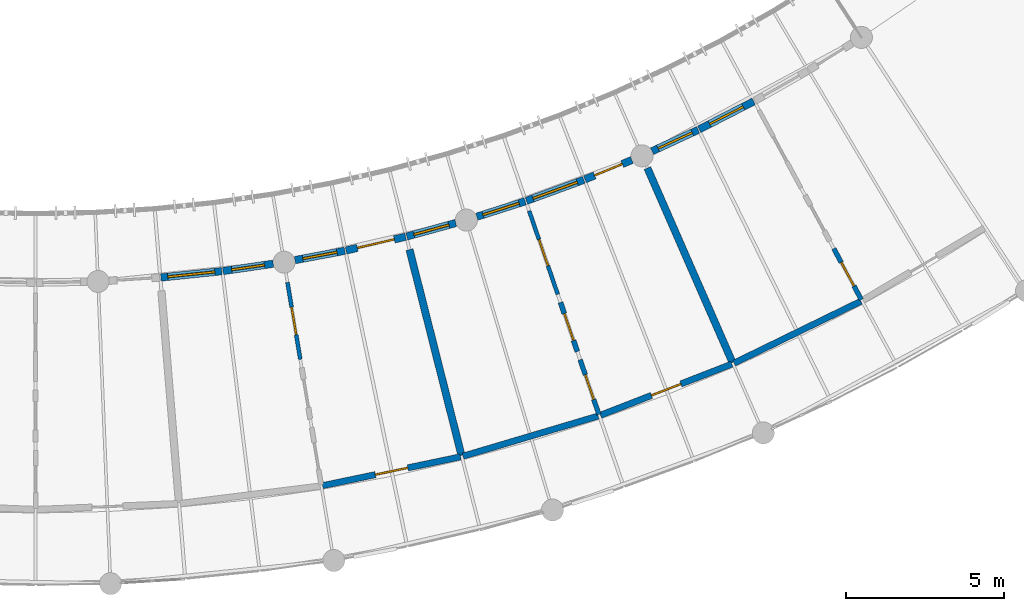
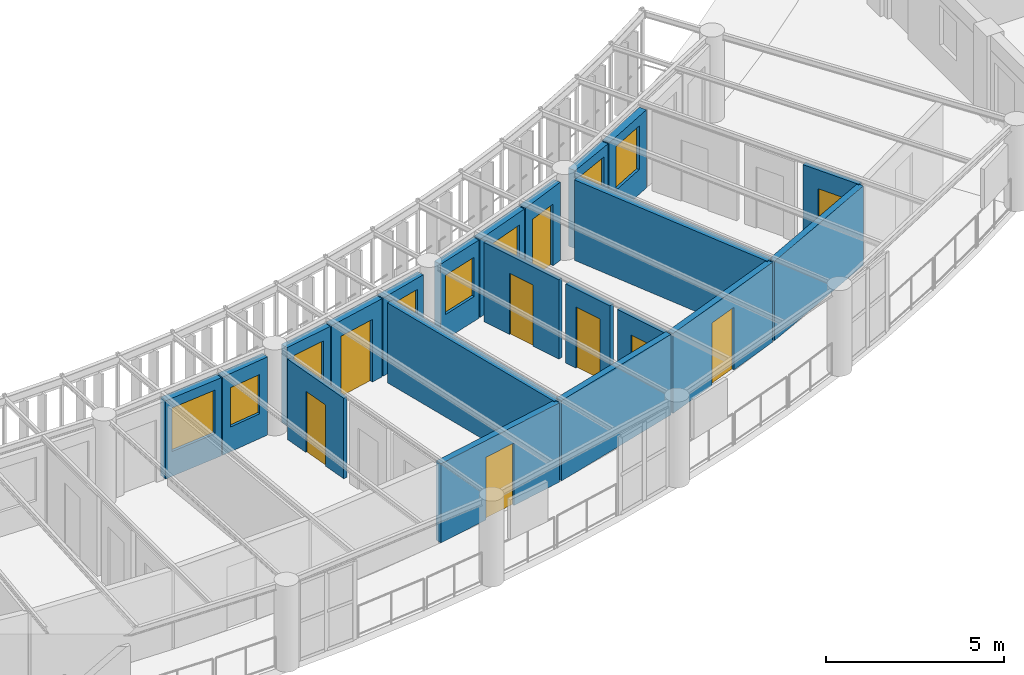
# One storey, part 62 of 100: 21 walls, 9 doors, 8 windows, 17 openings.
"""IFC4 building model written with IfcOpenShell, lengths in metres."""

import ifcopenshell
import ifcopenshell.guid

model = None  # the IFC model being written
_history = None  # IfcOwnerHistory: only IFC2X3 demands one
_inside = {}  # id of a spatial element -> (the spatial element, [elements in it])
_under = {}  # id of a project, library or spatial element -> (it, [spatial elements below it])
_declared = {}  # id of a project -> (the project, [libraries it declares])
_typed = {}  # id of a type object -> (the type object, [elements of that type])
_made_of = {}  # id of a material, layer set ... -> (it, [elements and type objects made of it])


def new_model(schema):
    """Start an empty IFC model of exactly this schema.

    Asked for "IFC4X3", IfcOpenShell would pick the latest addendum, in which some entities
    have other attributes; the version numbers below select the first issue.
    IFC2X3 requires an IfcOwnerHistory on every rooted entity: one is made here for all.
    """
    global model, _history
    if schema == "IFC4X3":
        model = ifcopenshell.file(schema_version=(4, 3, 0, 0))
    else:
        model = ifcopenshell.file(schema=schema)
    _inside.clear()
    _under.clear()
    _declared.clear()
    _typed.clear()
    _made_of.clear()
    _history = None
    if model.schema == "IFC2X3":
        org = make("IfcOrganization", Name="unknown")
        user = make(
            "IfcPersonAndOrganization",
            ThePerson=make("IfcPerson", FamilyName="unknown"),
            TheOrganization=org,
        )
        app = make(
            "IfcApplication",
            ApplicationDeveloper=org,
            Version="unknown",
            ApplicationFullName="unknown",
            ApplicationIdentifier="unknown",
        )
        _history = make(
            "IfcOwnerHistory",
            OwningUser=user,
            OwningApplication=app,
            ChangeAction="ADDED",
            CreationDate=0,
        )
    return model


def make(cls, **values):
    """One entity of the class cls with the attributes given. An attribute that is None is left unset."""
    return model.create_entity(
        cls, **{name: value for name, value in values.items() if value is not None}
    )


def rooted(cls, **values):
    """An entity with a GlobalId (a new one), such as an element, a storey or a relation."""
    return make(cls, GlobalId=ifcopenshell.guid.new(), OwnerHistory=_history, **values)


def si_unit(unit_type, name, prefix=None):
    """IfcSIUnit, for example si_unit("LENGTHUNIT", "METRE", prefix="MILLI")."""
    return make("IfcSIUnit", UnitType=unit_type, Prefix=prefix, Name=name)


def assignment(units):
    """IfcUnitAssignment: the units of a project."""
    return None if units is None else make("IfcUnitAssignment", Units=units)


def point(xyz):
    """IfcCartesianPoint."""
    return None if xyz is None else make("IfcCartesianPoint", Coordinates=xyz)


def direction(xyz):
    """IfcDirection."""
    return None if xyz is None else make("IfcDirection", DirectionRatios=xyz)


def frame(location, z_axis=None, x_axis=None):
    """IfcAxis2Placement3D, a coordinate frame: its origin and axes. An axis left out is left unset."""
    return make(
        "IfcAxis2Placement3D",
        Location=point(location),
        Axis=direction(z_axis),
        RefDirection=direction(x_axis),
    )


def frame_2d(location, x_axis=None):
    """IfcAxis2Placement2D, a coordinate frame in the plane: its origin and x axis."""
    return make(
        "IfcAxis2Placement2D", Location=point(location), RefDirection=direction(x_axis)
    )


def origin():
    """The frame at (0, 0, 0) with its axes left unset."""
    return frame((0.0, 0.0, 0.0))


def place(relative_to, where):
    """IfcLocalPlacement: puts the frame where relative to a parent placement (None: the world)."""
    return make(
        "IfcLocalPlacement", PlacementRelTo=relative_to, RelativePlacement=where
    )


def context(
    kind, dimensions, precision=None, world=None, true_north=None, identifier=None
):
    """IfcGeometricRepresentationContext, for example the 3D "Model" context."""
    return make(
        "IfcGeometricRepresentationContext",
        ContextIdentifier=identifier,
        ContextType=kind,
        CoordinateSpaceDimension=dimensions,
        Precision=precision,
        WorldCoordinateSystem=world,
        TrueNorth=true_north,
    )


def subcontext(parent, identifier, kind, view, scale=None):
    """IfcGeometricRepresentationSubContext, for example "Body" below "Model"."""
    return make(
        "IfcGeometricRepresentationSubContext",
        ContextIdentifier=identifier,
        ContextType=kind,
        ParentContext=parent,
        TargetScale=scale,
        TargetView=view,
    )


def project(units=None, contexts=None):
    """IfcProject with its units and contexts."""
    return rooted(
        "IfcProject",
        Name="project",
        RepresentationContexts=contexts,
        UnitsInContext=assignment(units),
    )


def spatial(cls, under=None, at=None, **own):
    """A site, building, storey or space (cls), placed at a placement, below another one or the project."""
    s = rooted(cls, ObjectPlacement=at, **own)
    if under is not None:
        _under.setdefault(under.id(), (under, []))[1].append(s)
    return s


def profile(cls, at=None, kind="AREA", **sizes):
    """A parametric profile (cls). Its sizes go by their IFC names, for example OverallWidth=200.0."""
    return make(cls, ProfileType=kind, Position=at, **sizes)


def rectangle(**sizes):
    """IfcRectangleProfileDef."""
    return profile("IfcRectangleProfileDef", **sizes)


def extrude(swept, where, along, depth):
    """IfcExtrudedAreaSolid: the profile swept, set in the frame where, extruded along a direction by depth."""
    return make(
        "IfcExtrudedAreaSolid",
        SweptArea=swept,
        Position=where,
        ExtrudedDirection=direction(along),
        Depth=depth,
    )


def shape(context_of_items, identifier, shape_type, items):
    """IfcShapeRepresentation: the items that make up one representation, for example the "Body"."""
    return make(
        "IfcShapeRepresentation",
        ContextOfItems=context_of_items,
        RepresentationIdentifier=identifier,
        RepresentationType=shape_type,
        Items=items,
    )


def material(Name=None, Category=None):
    """IfcMaterial."""
    return make("IfcMaterial", Name=Name, Category=Category)


def layer(
    of_material, thickness, ventilated=None, Name=None, Category=None, Priority=None
):
    """IfcMaterialLayer: one layer of a wall or slab, of a material (None: an air gap)."""
    return make(
        "IfcMaterialLayer",
        Material=of_material,
        LayerThickness=thickness,
        IsVentilated=ventilated,
        Name=Name,
        Category=Category,
        Priority=Priority,
    )


def layer_set(layers, Name=None):
    """IfcMaterialLayerSet."""
    return make("IfcMaterialLayerSet", MaterialLayers=layers, LayerSetName=Name)


def made_of(thing, what):
    """Note that an element or type object is made of a material, layer set ...; save() writes the relation."""
    if what is not None:
        _made_of.setdefault(what.id(), (what, []))[1].append(thing)
    return thing


def type_object(cls, material=None, **own):
    """A type object (cls), such as IfcWallType, which elements share."""
    return made_of(rooted(cls, **own), material)


def element(
    cls,
    number,
    at=None,
    inside=None,
    cuts=None,
    type_object=None,
    material=None,
    context=None,
    identifier="Body",
    shape_type=None,
    held_by="IfcProductDefinitionShape",
    body=None,
    shapes=None,
    **own,
):
    """One element of the class cls, such as IfcWall. Its Tag is "e" and its number.

    at: its placement. inside: the storey or other place that contains it. cuts: it is an
    opening in that element (IfcRelVoidsElement). A single representation is given by context,
    identifier, shape_type and body (its items); several are given by shapes. held_by: the class
    of the entity that holds the representations. save() writes the other relations.
    """
    e = rooted(cls, Tag="e%d" % number, ObjectPlacement=at, **own)
    if body is not None:
        shapes = [shape(context, identifier, shape_type, body)]
    if shapes is not None:
        e.Representation = make(held_by, Representations=shapes)
    if inside is not None:
        _inside.setdefault(inside.id(), (inside, []))[1].append(e)
    if cuts is not None:
        rooted(
            "IfcRelVoidsElement", RelatingBuildingElement=cuts, RelatedOpeningElement=e
        )
    if type_object is not None:
        _typed.setdefault(type_object.id(), (type_object, []))[1].append(e)
    return made_of(e, material)


def fill(opening, filler):
    """IfcRelFillsElement: the door or window that sits in an opening."""
    return rooted(
        "IfcRelFillsElement",
        RelatingOpeningElement=opening,
        RelatedBuildingElement=filler,
    )


def aggregate(whole, parts):
    """IfcRelAggregates: a whole, such as a stair, and the parts it consists of."""
    return rooted("IfcRelAggregates", RelatingObject=whole, RelatedObjects=parts)


def save(model, path):
    """Write the relations noted so far, then the file.

    IfcRelAggregates (storeys below a building ...), IfcRelContainedInSpatialStructure (elements
    in a storey), IfcRelDefinesByType, IfcRelAssociatesMaterial and IfcRelDeclares: one each for
    every whole, place, type object, material and project.
    """
    for whole, parts in _under.values():
        aggregate(whole, parts)
    for where, things in _inside.values():
        rooted(
            "IfcRelContainedInSpatialStructure",
            RelatedElements=things,
            RelatingStructure=where,
        )
    for kind, things in _typed.values():
        rooted("IfcRelDefinesByType", RelatedObjects=things, RelatingType=kind)
    for what, things in _made_of.values():
        rooted("IfcRelAssociatesMaterial", RelatedObjects=things, RelatingMaterial=what)
    for by, libraries in _declared.values():
        rooted("IfcRelDeclares", RelatingContext=by, RelatedDefinitions=libraries)
    model.write(path)


model = new_model("IFC4")

# Units and contexts
model_context = context("Model", 3, precision=1e-05, world=origin(), true_north=direction((0.0, 1.0)))
body_context = subcontext(model_context, "Body", "Model", "MODEL_VIEW")
ifc_project = project(units=[si_unit("LENGTHUNIT", "METRE"), si_unit("AREAUNIT", "SQUARE_METRE"), si_unit("VOLUMEUNIT", "CUBIC_METRE"), si_unit("PLANEANGLEUNIT", "RADIAN"), si_unit("MASSUNIT", "GRAM", prefix="KILO"), si_unit("POWERUNIT", "WATT"), si_unit("THERMODYNAMICTEMPERATUREUNIT", "KELVIN")], contexts=[model_context])

# Site, building, storey
site_placement = place(None, origin())
site = spatial("IfcSite", under=ifc_project, at=site_placement, CompositionType="ELEMENT")
building_placement = place(site_placement, origin())
building = spatial("IfcBuilding", under=site, at=building_placement, Name="Ruvembo Vaulted Housing Court", CompositionType="ELEMENT")
storey_placement = place(building_placement, frame((0.0, 0.0, 10.89990234375)))
storey = spatial("IfcBuildingStorey", under=building, at=storey_placement, Name="L03", CompositionType="ELEMENT", Elevation=10.89990234375)

# Wall, opening, door
ifc_material_1 = material(Name="Concrete Blockwork 200", Category="masonry")
ifc_layer_1 = layer(ifc_material_1, 0.199951171875, Name="Concrete Blockwork 200")
ifc_layer_set_1 = layer_set([ifc_layer_1], Name="Concrete Blockwork 200")
wall_type_1 = type_object("IfcWallType", Name="WL-CORR-200", PredefinedType="SOLIDWALL", material=ifc_layer_set_1)
wall_1_placement = place(storey_placement, frame((78.106689453125, 7.55810546875, 0.0), z_axis=(0.0, 0.0, 1.0), x_axis=(0.978806148413, 0.204788973894, 0.0)))
wall_1 = element("IfcWall", 1, at=wall_1_placement, inside=storey, type_object=wall_type_1, Name="L03 Suite SC2-L03-U5 Entrance WL-INT-L03-01029", PredefinedType="SOLIDWALL", context=body_context, shape_type="SweptSolid", body=[
    extrude(rectangle(XDim=4.472900390625, YDim=0.199951171875, at=frame_2d((2.236328125, 0.0))), origin(), (0.0, 0.0, 1.0), 2.72216796875),
])
opening_1_placement = place(wall_1_placement, frame((1.71142578125, 0.0, 0.0)))
opening_1 = element("IfcOpeningElement", 2, at=opening_1_placement, cuts=wall_1, Name="Opening FD3", PredefinedType="OPENING", context=body_context, shape_type="SweptSolid", body=[
    extrude(rectangle(XDim=1.050048828125, YDim=2.14990234375, at=frame_2d((0.52490234375, 1.074951171875))), frame((0.0, 0.10986328125, 0.0), z_axis=(0.0, -1.0, 0.0), x_axis=(1.0, 0.0, 0.0)), (0.0, 0.0, 1.0), 0.219970703125),
])
ifc_material_2 = material(Name="FSC Hardwood and Engineered Timber", Category="wood")
door_type_1 = type_object("IfcDoorType", Name="DR-FLAT-1050x2150", OperationType="NOTDEFINED", PredefinedType="DOOR", material=ifc_material_2)
door_1_placement = place(opening_1_placement, origin())
door_1 = element("IfcDoor", 3, at=door_1_placement, inside=storey, type_object=door_type_1, Name="L03 Suite SC2-L03-U5 Entrance Door DR-INT-L03-00572", OperationType="SINGLE_SWING_RIGHT", OverallHeight=2.14990234375, OverallWidth=1.050048828125, PredefinedType="DOOR", context=body_context, shape_type="SweptSolid", body=[
    extrude(rectangle(XDim=1.050048828125, YDim=2.14990234375, at=frame_2d((0.52490234375, 1.074951171875))), frame((0.0, 0.02490234375, 0.0), z_axis=(0.0, -1.0, 0.0), x_axis=(1.0, 0.0, 0.0)), (0.0, 0.0, 1.0), 0.050048828125),
])
fill(opening_1, door_1)

# Wall
wall_2_placement = place(storey_placement, frame((82.562255859375, 8.493896484375, 0.0), z_axis=(0.0, 0.0, 1.0), x_axis=(0.958602413557, 0.28474798107, 0.0)))
element("IfcWall", 4, at=wall_2_placement, inside=storey, type_object=wall_type_1, Name="L03 Suite SC2-L03-U6 Gallery Wall WL-INT-L03-01034", PredefinedType="SOLIDWALL", context=body_context, shape_type="SweptSolid", body=[
    extrude(rectangle(XDim=4.472900390625, YDim=0.199951171875, at=frame_2d((2.236328125, 0.0))), origin(), (0.0, 0.0, 1.0), 2.76220703125),
])

# Wall, opening, door
wall_3_placement = place(storey_placement, frame((86.92578125, 9.79345703125, 0.0), z_axis=(0.0, 0.0, 1.0), x_axis=(0.931847867525, 0.362849213571, 0.0)))
wall_3 = element("IfcWall", 5, at=wall_3_placement, inside=storey, type_object=wall_type_1, Name="L03 Suite SC2-L03-U6 Entrance WL-INT-L03-01035", PredefinedType="SOLIDWALL", context=body_context, shape_type="SweptSolid", body=[
    extrude(rectangle(XDim=4.47314453125, YDim=0.199951171875, at=frame_2d((2.236572265625, 0.0))), origin(), (0.0, 0.0, 1.0), 2.7421875),
])
opening_2_placement = place(wall_3_placement, frame((1.736572265625, 0.0, 0.0)))
opening_2 = element("IfcOpeningElement", 6, at=opening_2_placement, cuts=wall_3, Name="Opening FD1", PredefinedType="OPENING", context=body_context, shape_type="SweptSolid", body=[
    extrude(rectangle(XDim=1.0, YDim=2.14990234375, at=frame_2d((0.5, 1.074951171875))), frame((0.0, 0.10986328125, 0.0), z_axis=(0.0, -1.0, 0.0), x_axis=(1.0, 0.0, 0.0)), (0.0, 0.0, 1.0), 0.219970703125),
])
door_type_2 = type_object("IfcDoorType", Name="DR-FLAT-1000x2150", OperationType="NOTDEFINED", PredefinedType="DOOR", material=ifc_material_2)
door_2_placement = place(opening_2_placement, origin())
door_2 = element("IfcDoor", 7, at=door_2_placement, inside=storey, type_object=door_type_2, Name="L03 Suite SC2-L03-U6 Entrance Door DR-INT-L03-00576", OperationType="SINGLE_SWING_RIGHT", OverallHeight=2.14990234375, OverallWidth=1.0, PredefinedType="DOOR", context=body_context, shape_type="SweptSolid", body=[
    extrude(rectangle(XDim=1.0, YDim=2.14990234375, at=frame_2d((0.5, 1.074951171875))), frame((0.0, 0.02490234375, 0.0), z_axis=(0.0, -1.0, 0.0), x_axis=(1.0, 0.0, 0.0)), (0.0, 0.0, 1.0), 0.050048828125),
])
fill(opening_2, door_2)

# Walls
wall_4_placement = place(storey_placement, frame((91.16748046875, 11.448486328125, 0.0), z_axis=(0.0, 0.0, 1.0), x_axis=(0.898794149603, 0.438370934985, 0.0)))
element("IfcWall", 8, at=wall_4_placement, inside=storey, type_object=wall_type_1, Name="L03 Suite SC2-L03-U7 Gallery Wall WL-INT-L03-01040", PredefinedType="SOLIDWALL", context=body_context, shape_type="SweptSolid", body=[
    extrude(rectangle(XDim=4.47265625, YDim=0.199951171875, at=frame_2d((2.236328125, 0.0))), origin(), (0.0, 0.0, 1.0), 2.72216796875),
])
ifc_material_3 = material(Name="Acoustic Masonry Demising 230", Category="masonry")
ifc_layer_2 = layer(ifc_material_3, 0.22998046875, Name="Acoustic Masonry Demising 230")
ifc_layer_set_2 = layer_set([ifc_layer_2], Name="Acoustic Masonry Demising 230")
wall_type_2 = type_object("IfcWallType", Name="WL-DEM-230", PredefinedType="SOLIDWALL", material=ifc_layer_set_2)
wall_5_placement = place(storey_placement, frame((80.864013671875, 15.0517578125, 0.0), z_axis=(0.0, 0.0, 1.0), x_axis=(0.244982481903, -0.969527505314, 0.0)))
element("IfcWall", 9, at=wall_5_placement, inside=storey, type_object=wall_type_2, Name="L03 Suite SC2-L03-U5 Demising WL-INT-L03-01033", PredefinedType="SOLIDWALL", context=body_context, shape_type="SweptSolid", body=[
    extrude(rectangle(XDim=6.73583984375, YDim=0.22998046875, at=frame_2d((3.367919921875, 0.0))), origin(), (0.0, 0.0, 1.0), 2.7421875),
])
wall_6_placement = place(storey_placement, frame((88.414794921875, 17.638427734375, 0.0), z_axis=(0.0, 0.0, 1.0), x_axis=(0.400932910895, -0.916107417807, 0.0)))
element("IfcWall", 10, at=wall_6_placement, inside=storey, type_object=wall_type_2, Name="L03 Suite SC2-L03-U6 Demising WL-INT-L03-01039", PredefinedType="SOLIDWALL", context=body_context, shape_type="SweptSolid", body=[
    extrude(rectangle(XDim=6.736083984375, YDim=0.22998046875, at=frame_2d((3.3681640625, 0.0))), origin(), (0.0, 0.0, 1.0), 2.76220703125),
])

# Wall, opening, window
ifc_material_4 = material(Name="Rendered Masonry 235", Category="masonry")
ifc_layer_3 = layer(ifc_material_4, 0.235107421875, Name="Rendered Masonry 235")
ifc_layer_set_3 = layer_set([ifc_layer_3], Name="Rendered Masonry 235")
wall_type_3 = type_object("IfcWallType", Name="WL-EXT-235", PredefinedType="STANDARD", material=ifc_layer_set_3)
wall_7_placement = place(storey_placement, frame((72.9755859375, 14.165283203125, 0.0), z_axis=(0.0, 0.0, 1.0), x_axis=(0.994688684624, 0.10292920228, 0.0)))
wall_7 = element("IfcWall", 11, at=wall_7_placement, inside=storey, type_object=wall_type_3, Name="Scoop SC2 L03 Concave Balcony Wall 16", PredefinedType="STANDARD", context=body_context, shape_type="SweptSolid", body=[
    extrude(rectangle(XDim=1.940185546875, YDim=0.235107421875, at=frame_2d((0.97021484375, 0.0))), origin(), (0.0, 0.0, 1.0), 2.68408203125),
])
opening_3_placement = place(wall_7_placement, frame((0.219970703125, 0.0, 0.85009765625)))
opening_3 = element("IfcOpeningElement", 12, at=opening_3_placement, cuts=wall_7, Name="Opening W19", PredefinedType="OPENING", context=body_context, shape_type="SweptSolid", body=[
    extrude(rectangle(XDim=1.5, YDim=1.5, at=frame_2d((0.75, 0.75))), frame((0.0, 0.12744140625, 0.0), z_axis=(0.0, -1.0, 0.0), x_axis=(1.0, 0.0, 0.0)), (0.0, 0.0, 1.0), 0.255126953125),
])
ifc_material_5 = material(Name="Double Solar-Control Glazing in Aluminium Frame", Category="aluminium")
window_type_1 = type_object("IfcWindowType", Name="WIN-1500x1500", PartitioningType="SINGLE_PANEL", PredefinedType="WINDOW", material=ifc_material_5)
window_1_placement = place(opening_3_placement, origin())
window_1 = element("IfcWindow", 13, at=window_1_placement, inside=storey, type_object=window_type_1, Name="Scoop SC2 L03 Concave Window 16", OverallHeight=1.5, OverallWidth=1.5, PartitioningType="SINGLE_PANEL", PredefinedType="WINDOW", context=body_context, shape_type="SweptSolid", body=[
    extrude(rectangle(XDim=1.5, YDim=1.5, at=frame_2d((0.75, 0.75))), frame((0.0, 0.030029296875, 0.0), z_axis=(0.0, -1.0, 0.0), x_axis=(1.0, 0.0, 0.0)), (0.0, 0.0, 1.0), 0.06005859375),
])
fill(opening_3, window_1)

wall_8_placement = place(storey_placement, frame((74.945068359375, 14.3701171875, 0.0), z_axis=(0.0, 0.0, 1.0), x_axis=(0.98961312767, 0.143756243492, 0.0)))
wall_8 = element("IfcWall", 14, at=wall_8_placement, inside=storey, type_object=wall_type_3, Name="Scoop SC2 L03 Concave Balcony Wall 17", PredefinedType="STANDARD", context=body_context, shape_type="SweptSolid", body=[
    extrude(rectangle(XDim=1.60986328125, YDim=0.235107421875, at=frame_2d((0.804931640625, 0.0))), origin(), (0.0, 0.0, 1.0), 2.68408203125),
])
opening_4_placement = place(wall_8_placement, frame((0.280029296875, 0.0, 0.85009765625)))
opening_4 = element("IfcOpeningElement", 15, at=opening_4_placement, cuts=wall_8, Name="Opening W09", PredefinedType="OPENING", context=body_context, shape_type="SweptSolid", body=[
    extrude(rectangle(XDim=1.050048828125, YDim=1.35009765625, at=frame_2d((0.52490234375, 0.675048828125))), frame((0.0, 0.12744140625, 0.0), z_axis=(0.0, -1.0, 0.0), x_axis=(1.0, 0.0, 0.0)), (0.0, 0.0, 1.0), 0.255126953125),
])
window_type_2 = type_object("IfcWindowType", Name="WIN-1050x1350", PartitioningType="SINGLE_PANEL", PredefinedType="WINDOW", material=ifc_material_5)
window_2_placement = place(opening_4_placement, origin())
window_2 = element("IfcWindow", 16, at=window_2_placement, inside=storey, type_object=window_type_2, Name="Scoop SC2 L03 Concave Window 17", OverallHeight=1.35009765625, OverallWidth=1.050048828125, PartitioningType="SINGLE_PANEL", PredefinedType="WINDOW", context=body_context, shape_type="SweptSolid", body=[
    extrude(rectangle(XDim=1.050048828125, YDim=1.35009765625, at=frame_2d((0.52490234375, 0.675048828125))), frame((0.0, 0.030029296875, 0.0), z_axis=(0.0, -1.0, 0.0), x_axis=(1.0, 0.0, 0.0)), (0.0, 0.0, 1.0), 0.06005859375),
])
fill(opening_4, window_2)

wall_9_placement = place(storey_placement, frame((77.228759765625, 14.716552734375, 0.0), z_axis=(0.0, 0.0, 1.0), x_axis=(0.982794848755, 0.184700528589, 0.0)))
wall_9 = element("IfcWall", 17, at=wall_9_placement, inside=storey, type_object=wall_type_3, Name="Scoop SC2 L03 Concave Balcony Wall 18", PredefinedType="STANDARD", context=body_context, shape_type="SweptSolid", body=[
    extrude(rectangle(XDim=1.60986328125, YDim=0.235107421875, at=frame_2d((0.804931640625, 0.0))), origin(), (0.0, 0.0, 1.0), 2.68408203125),
])
opening_5_placement = place(wall_9_placement, frame((0.2548828125, 0.0, 0.85009765625)))
opening_5 = element("IfcOpeningElement", 18, at=opening_5_placement, cuts=wall_9, Name="Opening W10", PredefinedType="OPENING", context=body_context, shape_type="SweptSolid", body=[
    extrude(rectangle(XDim=1.10009765625, YDim=1.449951171875, at=frame_2d((0.550048828125, 0.72509765625))), frame((0.0, 0.12744140625, 0.0), z_axis=(0.0, -1.0, 0.0), x_axis=(1.0, 0.0, 0.0)), (0.0, 0.0, 1.0), 0.255126953125),
])
window_type_3 = type_object("IfcWindowType", Name="WIN-1100x1450", PartitioningType="SINGLE_PANEL", PredefinedType="WINDOW", material=ifc_material_5)
window_3_placement = place(opening_5_placement, origin())
window_3 = element("IfcWindow", 19, at=window_3_placement, inside=storey, type_object=window_type_3, Name="Scoop SC2 L03 Concave Window 18", OverallHeight=1.449951171875, OverallWidth=1.10009765625, PartitioningType="SINGLE_PANEL", PredefinedType="WINDOW", context=body_context, shape_type="SweptSolid", body=[
    extrude(rectangle(XDim=1.10009765625, YDim=1.449951171875, at=frame_2d((0.550048828125, 0.72509765625))), frame((0.0, 0.030029296875, 0.0), z_axis=(0.0, -1.0, 0.0), x_axis=(1.0, 0.0, 0.0)), (0.0, 0.0, 1.0), 0.06005859375),
])
fill(opening_5, window_3)

# Wall, opening, door
wall_10_placement = place(storey_placement, frame((78.85009765625, 15.02197265625, 0.0), z_axis=(0.0, 0.0, 1.0), x_axis=(0.974359373104, 0.224997360081, 0.0)))
wall_10 = element("IfcWall", 20, at=wall_10_placement, inside=storey, type_object=wall_type_3, Name="Scoop SC2 L03 Concave Balcony Wall 19", PredefinedType="STANDARD", context=body_context, shape_type="SweptSolid", body=[
    extrude(rectangle(XDim=1.940185546875, YDim=0.235107421875, at=frame_2d((0.97021484375, 0.0))), origin(), (0.0, 0.0, 1.0), 2.68408203125),
])
opening_6_placement = place(wall_10_placement, frame((0.3701171875, 0.0, 0.0)))
opening_6 = element("IfcOpeningElement", 21, at=opening_6_placement, cuts=wall_10, Name="Opening BD2", PredefinedType="OPENING", context=body_context, shape_type="SweptSolid", body=[
    extrude(rectangle(XDim=1.199951171875, YDim=2.14990234375, at=frame_2d((0.60009765625, 1.074951171875))), frame((0.0, 0.12744140625, 0.0), z_axis=(0.0, -1.0, 0.0), x_axis=(1.0, 0.0, 0.0)), (0.0, 0.0, 1.0), 0.255126953125),
])
ifc_material_6 = material(Name="Thermally Broken Glazed Aluminium", Category="aluminium")
door_type_3 = type_object("IfcDoorType", Name="DR-BAL-1200x2150", OperationType="NOTDEFINED", PredefinedType="DOOR", material=ifc_material_6)
door_3_placement = place(opening_6_placement, origin())
door_3 = element("IfcDoor", 22, at=door_3_placement, inside=storey, type_object=door_type_3, Name="Scoop SC2 L03 Balcony Door 19", OperationType="SINGLE_SWING_RIGHT", OverallHeight=2.14990234375, OverallWidth=1.199951171875, PredefinedType="DOOR", context=body_context, shape_type="SweptSolid", body=[
    extrude(rectangle(XDim=1.199951171875, YDim=2.14990234375, at=frame_2d((0.60009765625, 1.074951171875))), frame((0.0, 0.02490234375, 0.0), z_axis=(0.0, -1.0, 0.0), x_axis=(1.0, 0.0, 0.0)), (0.0, 0.0, 1.0), 0.050048828125),
])
fill(opening_6, door_3)

# Wall, opening, window
wall_11_placement = place(storey_placement, frame((80.779296875, 15.46826171875, 0.0), z_axis=(0.0, 0.0, 1.0), x_axis=(0.96427223836, 0.264913288318, 0.0)))
wall_11 = element("IfcWall", 23, at=wall_11_placement, inside=storey, type_object=wall_type_3, Name="Scoop SC2 L03 Concave Balcony Wall 20", PredefinedType="STANDARD", context=body_context, shape_type="SweptSolid", body=[
    extrude(rectangle(XDim=1.610107421875, YDim=0.235107421875, at=frame_2d((0.80517578125, 0.0))), origin(), (0.0, 0.0, 1.0), 2.68408203125),
])
opening_7_placement = place(wall_11_placement, frame((0.22998046875, 0.0, 0.85009765625)))
opening_7 = element("IfcOpeningElement", 24, at=opening_7_placement, cuts=wall_11, Name="Opening W11", PredefinedType="OPENING", context=body_context, shape_type="SweptSolid", body=[
    extrude(rectangle(XDim=1.14990234375, YDim=1.449951171875, at=frame_2d((0.574951171875, 0.72509765625))), frame((0.0, 0.12744140625, 0.0), z_axis=(0.0, -1.0, 0.0), x_axis=(1.0, 0.0, 0.0)), (0.0, 0.0, 1.0), 0.255126953125),
])
window_type_4 = type_object("IfcWindowType", Name="WIN-1150x1450", PartitioningType="SINGLE_PANEL", PredefinedType="WINDOW", material=ifc_material_5)
window_4_placement = place(opening_7_placement, origin())
window_4 = element("IfcWindow", 25, at=window_4_placement, inside=storey, type_object=window_type_4, Name="Scoop SC2 L03 Concave Window 20", OverallHeight=1.449951171875, OverallWidth=1.14990234375, PartitioningType="SINGLE_PANEL", PredefinedType="WINDOW", context=body_context, shape_type="SweptSolid", body=[
    extrude(rectangle(XDim=1.14990234375, YDim=1.449951171875, at=frame_2d((0.574951171875, 0.72509765625))), frame((0.0, 0.030029296875, 0.0), z_axis=(0.0, -1.0, 0.0), x_axis=(1.0, 0.0, 0.0)), (0.0, 0.0, 1.0), 0.06005859375),
])
fill(opening_7, window_4)

wall_12_placement = place(storey_placement, frame((83.002685546875, 16.093994140625, 0.0), z_axis=(0.0, 0.0, 1.0), x_axis=(0.952508629145, 0.304511594861, 0.0)))
wall_12 = element("IfcWall", 26, at=wall_12_placement, inside=storey, type_object=wall_type_3, Name="Scoop SC2 L03 Concave Balcony Wall 21", PredefinedType="STANDARD", context=body_context, shape_type="SweptSolid", body=[
    extrude(rectangle(XDim=1.60986328125, YDim=0.235107421875, at=frame_2d((0.804931640625, 0.0))), origin(), (0.0, 0.0, 1.0), 2.68408203125),
])
opening_8_placement = place(wall_12_placement, frame((0.205078125, 0.0, 0.85009765625)))
opening_8 = element("IfcOpeningElement", 27, at=opening_8_placement, cuts=wall_12, Name="Opening W12", PredefinedType="OPENING", context=body_context, shape_type="SweptSolid", body=[
    extrude(rectangle(XDim=1.199951171875, YDim=1.35009765625, at=frame_2d((0.60009765625, 0.675048828125))), frame((0.0, 0.12744140625, 0.0), z_axis=(0.0, -1.0, 0.0), x_axis=(1.0, 0.0, 0.0)), (0.0, 0.0, 1.0), 0.255126953125),
])
window_type_5 = type_object("IfcWindowType", Name="WIN-1200x1350", PartitioningType="SINGLE_PANEL", PredefinedType="WINDOW", material=ifc_material_5)
window_5_placement = place(opening_8_placement, origin())
window_5 = element("IfcWindow", 28, at=window_5_placement, inside=storey, type_object=window_type_5, Name="Scoop SC2 L03 Concave Window 21", OverallHeight=1.35009765625, OverallWidth=1.199951171875, PartitioningType="SINGLE_PANEL", PredefinedType="WINDOW", context=body_context, shape_type="SweptSolid", body=[
    extrude(rectangle(XDim=1.199951171875, YDim=1.35009765625, at=frame_2d((0.60009765625, 0.675048828125))), frame((0.0, 0.030029296875, 0.0), z_axis=(0.0, -1.0, 0.0), x_axis=(1.0, 0.0, 0.0)), (0.0, 0.0, 1.0), 0.06005859375),
])
fill(opening_8, window_5)

wall_13_placement = place(storey_placement, frame((84.573974609375, 16.597412109375, 0.0), z_axis=(0.0, 0.0, 1.0), x_axis=(0.939178301307, 0.343429932235, 0.0)))
wall_13 = element("IfcWall", 29, at=wall_13_placement, inside=storey, type_object=wall_type_3, Name="Scoop SC2 L03 Concave Balcony Wall 22", PredefinedType="STANDARD", context=body_context, shape_type="SweptSolid", body=[
    extrude(rectangle(XDim=1.93994140625, YDim=0.235107421875, at=frame_2d((0.969970703125, 0.0))), origin(), (0.0, 0.0, 1.0), 2.68408203125),
])
opening_9_placement = place(wall_13_placement, frame((0.219970703125, 0.0, 0.85009765625)))
opening_9 = element("IfcOpeningElement", 30, at=opening_9_placement, cuts=wall_13, Name="Opening W18", PredefinedType="OPENING", context=body_context, shape_type="SweptSolid", body=[
    extrude(rectangle(XDim=1.5, YDim=1.39990234375, at=frame_2d((0.75, 0.699951171875))), frame((0.0, 0.12744140625, 0.0), z_axis=(0.0, -1.0, 0.0), x_axis=(1.0, 0.0, 0.0)), (0.0, 0.0, 1.0), 0.255126953125),
])
window_type_6 = type_object("IfcWindowType", Name="WIN-1500x1400", PartitioningType="SINGLE_PANEL", PredefinedType="WINDOW", material=ifc_material_5)
window_6_placement = place(opening_9_placement, origin())
window_6 = element("IfcWindow", 31, at=window_6_placement, inside=storey, type_object=window_type_6, Name="Scoop SC2 L03 Concave Window 22", OverallHeight=1.39990234375, OverallWidth=1.5, PartitioningType="SINGLE_PANEL", PredefinedType="WINDOW", context=body_context, shape_type="SweptSolid", body=[
    extrude(rectangle(XDim=1.5, YDim=1.39990234375, at=frame_2d((0.75, 0.699951171875))), frame((0.0, 0.030029296875, 0.0), z_axis=(0.0, -1.0, 0.0), x_axis=(1.0, 0.0, 0.0)), (0.0, 0.0, 1.0), 0.06005859375),
])
fill(opening_9, window_6)

# Wall, opening, door
wall_14_placement = place(storey_placement, frame((86.433349609375, 17.278076171875, 0.0), z_axis=(0.0, 0.0, 1.0), x_axis=(0.924159027547, 0.382007973481, 0.0)))
wall_14 = element("IfcWall", 32, at=wall_14_placement, inside=storey, type_object=wall_type_3, Name="Scoop SC2 L03 Concave Balcony Wall 23", PredefinedType="STANDARD", context=body_context, shape_type="SweptSolid", body=[
    extrude(rectangle(XDim=1.60986328125, YDim=0.235107421875, at=frame_2d((0.804931640625, 0.0))), origin(), (0.0, 0.0, 1.0), 2.68408203125),
])
opening_10_placement = place(wall_14_placement, frame((0.330078125, 0.0, 0.0)))
opening_10 = element("IfcOpeningElement", 33, at=opening_10_placement, cuts=wall_14, Name="Opening BD0", PredefinedType="OPENING", context=body_context, shape_type="SweptSolid", body=[
    extrude(rectangle(XDim=0.949951171875, YDim=2.1201171875, at=frame_2d((0.47509765625, 1.06005859375))), frame((0.0, 0.12744140625, 0.0), z_axis=(0.0, -1.0, 0.0), x_axis=(1.0, 0.0, 0.0)), (0.0, 0.0, 1.0), 0.255126953125),
])
door_type_4 = type_object("IfcDoorType", Name="DR-BAL-0950x2120", OperationType="NOTDEFINED", PredefinedType="DOOR", material=ifc_material_6)
door_4_placement = place(opening_10_placement, origin())
door_4 = element("IfcDoor", 34, at=door_4_placement, inside=storey, type_object=door_type_4, Name="Scoop SC2 L03 Balcony Door 23", OperationType="SINGLE_SWING_LEFT", OverallHeight=2.1201171875, OverallWidth=0.949951171875, PredefinedType="DOOR", context=body_context, shape_type="SweptSolid", body=[
    extrude(rectangle(XDim=0.949951171875, YDim=2.1201171875, at=frame_2d((0.47509765625, 1.06005859375))), frame((0.0, 0.02490234375, 0.0), z_axis=(0.0, -1.0, 0.0), x_axis=(1.0, 0.0, 0.0)), (0.0, 0.0, 1.0), 0.050048828125),
])
fill(opening_10, door_4)

# Wall, opening, window
wall_15_placement = place(storey_placement, frame((88.5625, 18.173583984375, 0.0), z_axis=(0.0, 0.0, 1.0), x_axis=(0.907572868664, 0.419894615427, 0.0)))
wall_15 = element("IfcWall", 35, at=wall_15_placement, inside=storey, type_object=wall_type_3, Name="Scoop SC2 L03 Concave Balcony Wall 24", PredefinedType="STANDARD", context=body_context, shape_type="SweptSolid", body=[
    extrude(rectangle(XDim=1.610107421875, YDim=0.235107421875, at=frame_2d((0.80517578125, 0.0))), origin(), (0.0, 0.0, 1.0), 2.68408203125),
])
opening_11_placement = place(wall_15_placement, frame((0.205078125, 0.0, 0.85009765625)))
opening_11 = element("IfcOpeningElement", 36, at=opening_11_placement, cuts=wall_15, Name="Opening W14", PredefinedType="OPENING", context=body_context, shape_type="SweptSolid", body=[
    extrude(rectangle(XDim=1.199951171875, YDim=1.5, at=frame_2d((0.60009765625, 0.75))), frame((0.0, 0.12744140625, 0.0), z_axis=(0.0, -1.0, 0.0), x_axis=(1.0, 0.0, 0.0)), (0.0, 0.0, 1.0), 0.255126953125),
])
window_type_7 = type_object("IfcWindowType", Name="WIN-1200x1500", PartitioningType="SINGLE_PANEL", PredefinedType="WINDOW", material=ifc_material_5)
window_7_placement = place(opening_11_placement, origin())
window_7 = element("IfcWindow", 37, at=window_7_placement, inside=storey, type_object=window_type_7, Name="Scoop SC2 L03 Concave Window 24", OverallHeight=1.5, OverallWidth=1.199951171875, PartitioningType="SINGLE_PANEL", PredefinedType="WINDOW", context=body_context, shape_type="SweptSolid", body=[
    extrude(rectangle(XDim=1.199951171875, YDim=1.5, at=frame_2d((0.60009765625, 0.75))), frame((0.0, 0.030029296875, 0.0), z_axis=(0.0, -1.0, 0.0), x_axis=(1.0, 0.0, 0.0)), (0.0, 0.0, 1.0), 0.06005859375),
])
fill(opening_11, window_7)

wall_16_placement = place(storey_placement, frame((90.0595703125, 18.866943359375, 0.0), z_axis=(0.0, 0.0, 1.0), x_axis=(0.889517261343, 0.456901566832, 0.0)))
wall_16 = element("IfcWall", 38, at=wall_16_placement, inside=storey, type_object=wall_type_3, Name="Scoop SC2 L03 Concave Balcony Wall 25", PredefinedType="STANDARD", context=body_context, shape_type="SweptSolid", body=[
    extrude(rectangle(XDim=1.940185546875, YDim=0.235107421875, at=frame_2d((0.97021484375, 0.0))), origin(), (0.0, 0.0, 1.0), 2.68408203125),
])
opening_12_placement = place(wall_16_placement, frame((0.3701171875, 0.0, 0.85009765625)))
opening_12 = element("IfcOpeningElement", 39, at=opening_12_placement, cuts=wall_16, Name="Opening W14", PredefinedType="OPENING", context=body_context, shape_type="SweptSolid", body=[
    extrude(rectangle(XDim=1.199951171875, YDim=1.5, at=frame_2d((0.60009765625, 0.75))), frame((0.0, 0.12744140625, 0.0), z_axis=(0.0, -1.0, 0.0), x_axis=(1.0, 0.0, 0.0)), (0.0, 0.0, 1.0), 0.255126953125),
])
window_8_placement = place(opening_12_placement, origin())
window_8 = element("IfcWindow", 40, at=window_8_placement, inside=storey, type_object=window_type_7, Name="Scoop SC2 L03 Concave Window 25", OverallHeight=1.5, OverallWidth=1.199951171875, PartitioningType="SINGLE_PANEL", PredefinedType="WINDOW", context=body_context, shape_type="SweptSolid", body=[
    extrude(rectangle(XDim=1.199951171875, YDim=1.5, at=frame_2d((0.60009765625, 0.75))), frame((0.0, 0.030029296875, 0.0), z_axis=(0.0, -1.0, 0.0), x_axis=(1.0, 0.0, 0.0)), (0.0, 0.0, 1.0), 0.06005859375),
])
fill(opening_12, window_8)

# Wall, opening, door
ifc_material_7 = material(Name="Plasterboard Stud Partition 125", Category="gypsum")
ifc_layer_4 = layer(ifc_material_7, 0.125, Name="Plasterboard Stud Partition 125")
ifc_layer_set_4 = layer_set([ifc_layer_4], Name="Plasterboard Stud Partition 125")
wall_type_4 = type_object("IfcWallType", Name="WL-PART-125", PredefinedType="PARTITIONING", material=ifc_layer_set_4)
wall_17_placement = place(storey_placement, frame((76.9912109375, 14.0126953125, 0.0), z_axis=(0.0, 0.0, 1.0), x_axis=(0.16420741421, -0.986425833562, 0.0)))
wall_17 = element("IfcWall", 41, at=wall_17_placement, inside=storey, type_object=wall_type_4, Name="L03 Suite SC2-L03-U5 Bedroom WL-INT-L03-01030", PredefinedType="PARTITIONING", context=body_context, shape_type="SweptSolid", body=[
    extrude(rectangle(XDim=2.47998046875, YDim=0.125, at=frame_2d((1.239990234375, 0.0))), origin(), (0.0, 0.0, 1.0), 2.76220703125),
])
opening_13_placement = place(wall_17_placement, frame((0.800048828125, 0.0, 0.0)))
opening_13 = element("IfcOpeningElement", 42, at=opening_13_placement, cuts=wall_17, Name="Opening ID3", PredefinedType="OPENING", context=body_context, shape_type="SweptSolid", body=[
    extrude(rectangle(XDim=0.8798828125, YDim=2.10009765625, at=frame_2d((0.43994140625, 1.050048828125))), frame((0.0, 0.072509765625, 0.0), z_axis=(0.0, -1.0, 0.0), x_axis=(1.0, 0.0, 0.0)), (0.0, 0.0, 1.0), 0.14501953125),
])
door_type_5 = type_object("IfcDoorType", Name="DR-ROOM-0880x2100", OperationType="NOTDEFINED", PredefinedType="DOOR", material=ifc_material_2)
door_5_placement = place(opening_13_placement, origin())
door_5 = element("IfcDoor", 43, at=door_5_placement, inside=storey, type_object=door_type_5, Name="L03 Suite SC2-L03-U5 Bedroom Door DR-INT-L03-00573", OperationType="SINGLE_SWING_LEFT", OverallHeight=2.10009765625, OverallWidth=0.8798828125, PredefinedType="DOOR", context=body_context, shape_type="SweptSolid", body=[
    extrude(rectangle(XDim=0.8798828125, YDim=2.10009765625, at=frame_2d((0.43994140625, 1.050048828125))), frame((0.0, 0.02490234375, 0.0), z_axis=(0.0, -1.0, 0.0), x_axis=(1.0, 0.0, 0.0)), (0.0, 0.0, 1.0), 0.050048828125),
])
fill(opening_13, door_5)

wall_18_placement = place(storey_placement, frame((84.66162109375, 16.280029296875, 0.0), z_axis=(0.0, 0.0, 1.0), x_axis=(0.32401221778, -0.94605289637, 0.0)))
wall_18 = element("IfcWall", 44, at=wall_18_placement, inside=storey, type_object=wall_type_4, Name="L03 Suite SC2-L03-U6 Bedroom WL-INT-L03-01036", PredefinedType="PARTITIONING", context=body_context, shape_type="SweptSolid", body=[
    extrude(rectangle(XDim=2.800048828125, YDim=0.125, at=frame_2d((1.39990234375, 0.0))), origin(), (0.0, 0.0, 1.0), 2.72216796875),
])
opening_14_placement = place(wall_18_placement, frame((0.960205078125, 0.0, 0.0)))
opening_14 = element("IfcOpeningElement", 45, at=opening_14_placement, cuts=wall_18, Name="Opening ID3", PredefinedType="OPENING", context=body_context, shape_type="SweptSolid", body=[
    extrude(rectangle(XDim=0.8798828125, YDim=2.10009765625, at=frame_2d((0.43994140625, 1.050048828125))), frame((0.0, 0.072509765625, 0.0), z_axis=(0.0, -1.0, 0.0), x_axis=(1.0, 0.0, 0.0)), (0.0, 0.0, 1.0), 0.14501953125),
])
door_6_placement = place(opening_14_placement, origin())
door_6 = element("IfcDoor", 46, at=door_6_placement, inside=storey, type_object=door_type_5, Name="L03 Suite SC2-L03-U6 Bedroom Door DR-INT-L03-00577", OperationType="SINGLE_SWING_LEFT", OverallHeight=2.10009765625, OverallWidth=0.8798828125, PredefinedType="DOOR", context=body_context, shape_type="SweptSolid", body=[
    extrude(rectangle(XDim=0.8798828125, YDim=2.10009765625, at=frame_2d((0.43994140625, 1.050048828125))), frame((0.0, 0.02490234375, 0.0), z_axis=(0.0, -1.0, 0.0), x_axis=(1.0, 0.0, 0.0)), (0.0, 0.0, 1.0), 0.050048828125),
])
fill(opening_14, door_6)

ifc_material_8 = material(Name="Moisture-Resistant Wet Partition 150", Category="gypsum")
ifc_layer_5 = layer(ifc_material_8, 0.14990234375, Name="Moisture-Resistant Wet Partition 150")
ifc_layer_set_5 = layer_set([ifc_layer_5], Name="Moisture-Resistant Wet Partition 150")
wall_type_5 = type_object("IfcWallType", Name="WL-PART-150", PredefinedType="PARTITIONING", material=ifc_layer_set_5)
wall_19_placement = place(storey_placement, frame((86.279296875, 11.5576171875, 0.0), z_axis=(0.0, 0.0, 1.0), x_axis=(0.323978335312, -0.946064500046, 0.0)))
wall_19 = element("IfcWall", 47, at=wall_19_placement, inside=storey, type_object=wall_type_5, Name="L03 Suite SC2-L03-U6 Bathroom WL-INT-L03-01038", PredefinedType="PARTITIONING", context=body_context, shape_type="SweptSolid", body=[
    extrude(rectangle(XDim=1.84033203125, YDim=0.14990234375, at=frame_2d((0.920166015625, 0.0))), origin(), (0.0, 0.0, 1.0), 2.72216796875),
])
opening_15_placement = place(wall_19_placement, frame((0.510009765625, 0.0, 0.0)))
opening_15 = element("IfcOpeningElement", 48, at=opening_15_placement, cuts=wall_19, Name="Opening ID4", PredefinedType="OPENING", context=body_context, shape_type="SweptSolid", body=[
    extrude(rectangle(XDim=0.820068359375, YDim=2.080078125, at=frame_2d((0.41015625, 1.0400390625))), frame((0.0, 0.0849609375, 0.0), z_axis=(0.0, -1.0, 0.0), x_axis=(1.0, 0.0, 0.0)), (0.0, 0.0, 1.0), 0.169921875),
])
door_type_6 = type_object("IfcDoorType", Name="DR-WET-0820x2080", OperationType="NOTDEFINED", PredefinedType="DOOR", material=ifc_material_2)
door_7_placement = place(opening_15_placement, origin())
door_7 = element("IfcDoor", 49, at=door_7_placement, inside=storey, type_object=door_type_6, Name="L03 Suite SC2-L03-U6 Bathroom Door DR-INT-L03-00579", OperationType="SINGLE_SWING_LEFT", OverallHeight=2.080078125, OverallWidth=0.820068359375, PredefinedType="DOOR", context=body_context, shape_type="SweptSolid", body=[
    extrude(rectangle(XDim=0.820068359375, YDim=2.080078125, at=frame_2d((0.41015625, 1.0400390625))), frame((0.0, 0.02490234375, 0.0), z_axis=(0.0, -1.0, 0.0), x_axis=(1.0, 0.0, 0.0)), (0.0, 0.0, 1.0), 0.050048828125),
])
fill(opening_15, door_7)

wall_20_placement = place(storey_placement, frame((94.33056640625, 15.0810546875, 0.0), z_axis=(0.0, 0.0, 1.0), x_axis=(0.475017414672, -0.879976395001, 0.0)))
wall_20 = element("IfcWall", 50, at=wall_20_placement, inside=storey, type_object=wall_type_5, Name="L03 Suite SC2-L03-U7 Bathroom WL-INT-L03-01044", PredefinedType="PARTITIONING", context=body_context, shape_type="SweptSolid", body=[
    extrude(rectangle(XDim=1.840087890625, YDim=0.14990234375, at=frame_2d((0.919921875, 0.0))), origin(), (0.0, 0.0, 1.0), 2.7421875),
])
opening_16_placement = place(wall_20_placement, frame((0.4951171875, 0.0, 0.0)))
opening_16 = element("IfcOpeningElement", 51, at=opening_16_placement, cuts=wall_20, Name="Opening ID2", PredefinedType="OPENING", context=body_context, shape_type="SweptSolid", body=[
    extrude(rectangle(XDim=0.85009765625, YDim=2.10009765625, at=frame_2d((0.425048828125, 1.050048828125))), frame((0.0, 0.0849609375, 0.0), z_axis=(0.0, -1.0, 0.0), x_axis=(1.0, 0.0, 0.0)), (0.0, 0.0, 1.0), 0.169921875),
])
door_type_7 = type_object("IfcDoorType", Name="DR-WET-0850x2100", OperationType="NOTDEFINED", PredefinedType="DOOR", material=ifc_material_2)
door_8_placement = place(opening_16_placement, origin())
door_8 = element("IfcDoor", 52, at=door_8_placement, inside=storey, type_object=door_type_7, Name="L03 Suite SC2-L03-U7 Bathroom Door DR-INT-L03-00583", OperationType="SINGLE_SWING_LEFT", OverallHeight=2.10009765625, OverallWidth=0.85009765625, PredefinedType="DOOR", context=body_context, shape_type="SweptSolid", body=[
    extrude(rectangle(XDim=0.85009765625, YDim=2.10009765625, at=frame_2d((0.425048828125, 1.050048828125))), frame((0.0, 0.02490234375, 0.0), z_axis=(0.0, -1.0, 0.0), x_axis=(1.0, 0.0, 0.0)), (0.0, 0.0, 1.0), 0.050048828125),
])
fill(opening_16, door_8)

ifc_material_9 = material(Name="Acoustic Service Chase Wall 160", Category="gypsum")
ifc_layer_6 = layer(ifc_material_9, 0.159912109375, Name="Acoustic Service Chase Wall 160")
ifc_layer_set_6 = layer_set([ifc_layer_6], Name="Acoustic Service Chase Wall 160")
wall_type_6 = type_object("IfcWallType", Name="WL-PLUMB-160", PredefinedType="PLUMBINGWALL", material=ifc_layer_set_6)
wall_21_placement = place(storey_placement, frame((85.656982421875, 13.373779296875, 0.0), z_axis=(0.0, 0.0, 1.0), x_axis=(0.324127376206, -0.946013448104, 0.0)))
wall_21 = element("IfcWall", 53, at=wall_21_placement, inside=storey, type_object=wall_type_6, Name="L03 Suite SC2-L03-U6 Kitchen WL-INT-L03-01037", PredefinedType="PLUMBINGWALL", context=body_context, shape_type="SweptSolid", body=[
    extrude(rectangle(XDim=1.64794921875, YDim=0.159912109375, at=frame_2d((0.823974609375, 0.0))), origin(), (0.0, 0.0, 1.0), 2.72216796875),
])
opening_17_placement = place(wall_21_placement, frame((0.3740234375, 0.0, 0.0)))
opening_17 = element("IfcOpeningElement", 54, at=opening_17_placement, cuts=wall_21, Name="Opening ID1", PredefinedType="OPENING", context=body_context, shape_type="SweptSolid", body=[
    extrude(rectangle(XDim=0.89990234375, YDim=2.10009765625, at=frame_2d((0.449951171875, 1.050048828125))), frame((0.0, 0.08984375, 0.0), z_axis=(0.0, -1.0, 0.0), x_axis=(1.0, 0.0, 0.0)), (0.0, 0.0, 1.0), 0.179931640625),
])
door_type_8 = type_object("IfcDoorType", Name="DR-ROOM-0900x2100", OperationType="NOTDEFINED", PredefinedType="DOOR", material=ifc_material_2)
door_9_placement = place(opening_17_placement, origin())
door_9 = element("IfcDoor", 55, at=door_9_placement, inside=storey, type_object=door_type_8, Name="L03 Suite SC2-L03-U6 Kitchen Door DR-INT-L03-00578", OperationType="SINGLE_SWING_RIGHT", OverallHeight=2.10009765625, OverallWidth=0.89990234375, PredefinedType="DOOR", context=body_context, shape_type="SweptSolid", body=[
    extrude(rectangle(XDim=0.89990234375, YDim=2.10009765625, at=frame_2d((0.449951171875, 1.050048828125))), frame((0.0, 0.02490234375, 0.0), z_axis=(0.0, -1.0, 0.0), x_axis=(1.0, 0.0, 0.0)), (0.0, 0.0, 1.0), 0.050048828125),
])
fill(opening_17, door_9)

save(model, "model.ifc")
